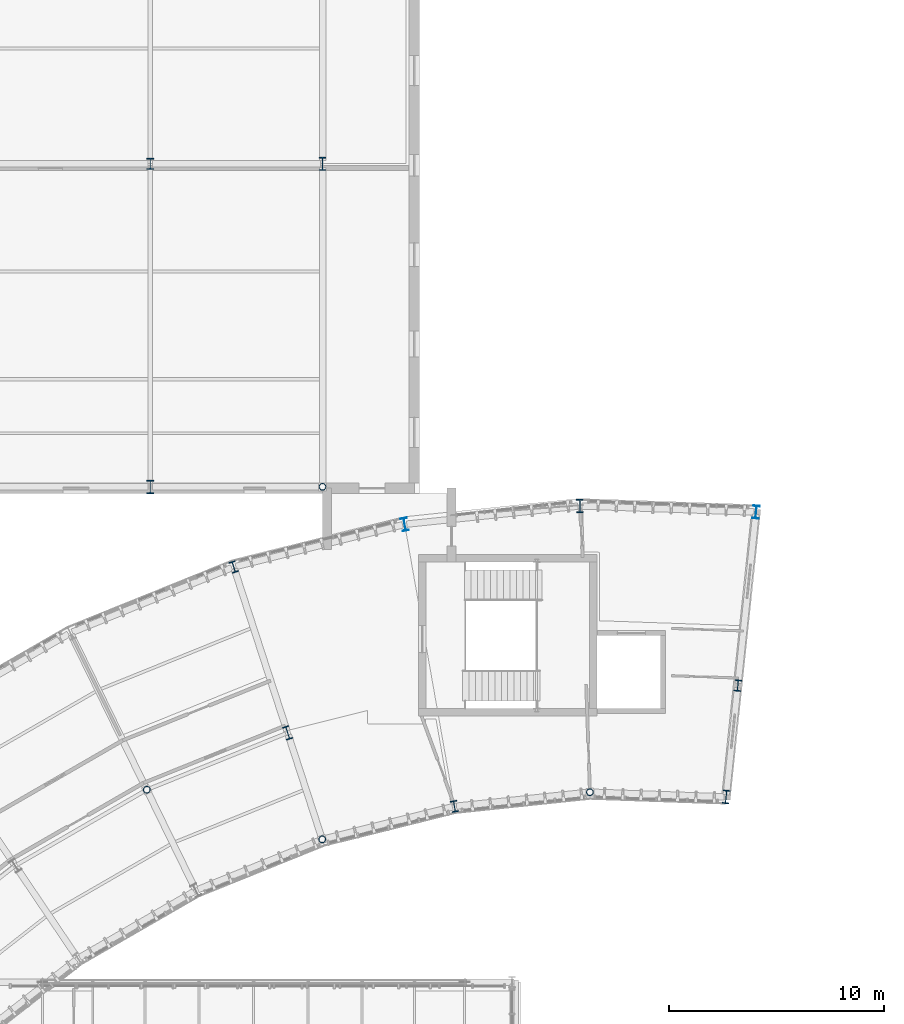
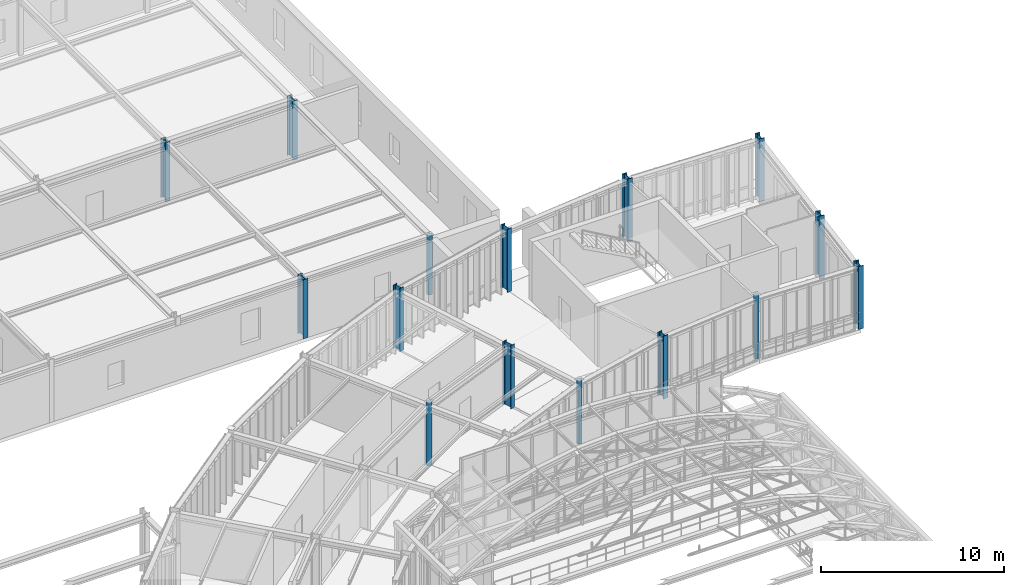
# One storey, part 12 of 148: 15 columns.
"""IFC4 building model written with IfcOpenShell, lengths in metres."""

from ifc_helpers import new_model, si_unit, direction, frame, origin, origin_2d, place, context, subcontext, project, spatial, hollow_circle, i_section, extrude, material, material_profile, profile_set, type_object, element, save


model = new_model("IFC4")

# Units and contexts
model_context = context("Model", 3, precision=1e-05, world=origin(), true_north=direction((0.0, 1.0)))
body_context = subcontext(model_context, "Body", "Model", "MODEL_VIEW")
ifc_project = project(units=[si_unit("LENGTHUNIT", "METRE"), si_unit("AREAUNIT", "SQUARE_METRE"), si_unit("VOLUMEUNIT", "CUBIC_METRE"), si_unit("PLANEANGLEUNIT", "RADIAN"), si_unit("MASSUNIT", "GRAM", prefix="KILO"), si_unit("THERMODYNAMICTEMPERATUREUNIT", "KELVIN"), si_unit("POWERUNIT", "WATT")], contexts=[model_context])

# Site, building, storey
site_placement = place(None, origin())
site = spatial("IfcSite", under=ifc_project, at=site_placement, CompositionType="ELEMENT")
building_placement = place(site_placement, origin())
building = spatial("IfcBuilding", under=site, at=building_placement, Name="Solvatero Civic Police Headquarters", CompositionType="ELEMENT")
storey_placement = place(building_placement, frame((0.0, 0.0, 5.10009765625)))
storey = spatial("IfcBuildingStorey", under=building, at=storey_placement, Name="L01", CompositionType="ELEMENT", Elevation=5.10009765625)

# Columns
ifc_material = material(Name="Steel S355", Category="steel")
ifc_material_profile_1 = material_profile(ifc_material, hollow_circle(Radius=0.161865234375, WallThickness=0.01611328125, at=origin_2d()), Name="CHS 323.9x16.0")
ifc_profile_set_1 = profile_set([ifc_material_profile_1], Name="Steel S355")
column_type_1 = type_object("IfcColumnType", Name="COL-ST-CHS324", PredefinedType="COLUMN", material=ifc_profile_set_1)
for number, where, z_axis, x_axis, name in (
    (1, (92.417236328125, 71.322509765625, 0.0), (0.0, 0.0, 1.0), (0.999390827019, 0.034899496703, 0.0), "Column ARC-S01-IN L01"),
    (2, (79.986083984375, 69.13037109375, 0.0), (0.0, 0.0, 1.0), (0.951056516295, 0.309016994375, 0.0), "Column ARC-S03-IN L01"),
    (3, (71.84033203125, 71.43408203125, 0.0), (0.0, 0.0, 1.0), (0.898794046299, 0.438371146789, 0.0), "Column ARC-S04-MID L01"),
):
    element("IfcColumn", number, at=place(storey_placement, frame(where, z_axis=z_axis, x_axis=x_axis)), inside=storey, type_object=column_type_1, Name=name, PredefinedType="COLUMN", context=body_context, shape_type="SweptSolid", body=[
        extrude(hollow_circle(Radius=0.161865234375, WallThickness=0.01611328125, at=origin_2d()), origin(), (0.0, 0.0, 1.0), 4.199951171875),
    ])
column_1_placement = place(storey_placement, frame((80.0, 85.5, 0.0), z_axis=(0.0, 0.0, 1.0), x_axis=(1.0, 0.0, 0.0)))
element("IfcColumn", 4, at=column_1_placement, inside=storey, type_object=column_type_1, Name="Column V7-X7Y1 L01", PredefinedType="COLUMN", context=body_context, shape_type="SweptSolid", body=[
    extrude(hollow_circle(Radius=0.161865234375, WallThickness=0.01611328125, at=origin_2d()), origin(), (0.0, 0.0, 1.0), 3.93994140625),
])
ifc_material_profile_2 = material_profile(ifc_material, i_section(OverallWidth=0.300048828125, OverallDepth=0.60009765625, WebThickness=0.015380859375, FlangeThickness=0.030029296875, FilletRadius=0.027099609375, at=origin_2d()), Name="HEB 600")
ifc_profile_set_2 = profile_set([ifc_material_profile_2], Name="Steel S355")
column_type_2 = type_object("IfcColumnType", Name="COL-ST-HEB600", PredefinedType="COLUMN", material=ifc_profile_set_2)
for number, where, z_axis, x_axis, name in (
    (5, (100.130615234375, 84.32861328125, 0.0), (0.0, 0.0, 1.0), (0.994521895368, -0.104528463268, 0.0), "Column ARC-S00-OUT L01"),
    (6, (83.8154296875, 83.759033203125, 0.0), (0.0, 0.0, 1.0), (0.984807753012, 0.173648177667, 0.0), "Column ARC-S02-OUT L01"),
):
    element("IfcColumn", number, at=place(storey_placement, frame(where, z_axis=z_axis, x_axis=x_axis)), inside=storey, type_object=column_type_2, Name=name, PredefinedType="COLUMN", context=body_context, shape_type="SweptSolid", body=[
        extrude(i_section(OverallWidth=0.300048828125, OverallDepth=0.60009765625, WebThickness=0.015380859375, FlangeThickness=0.030029296875, FilletRadius=0.027099609375, at=origin_2d()), origin(), (0.0, 0.0, 1.0), 4.199951171875),
    ])
ifc_material_profile_3 = material_profile(ifc_material, i_section(OverallWidth=0.305908203125, OverallDepth=0.52392578125, WebThickness=0.02099609375, FlangeThickness=0.0400390625, FilletRadius=0.027099609375, at=origin_2d()), Name="HEM 500")
ifc_profile_set_3 = profile_set([ifc_material_profile_3], Name="Steel S355")
column_type_3 = type_object("IfcColumnType", Name="COL-ST-HEM500", PredefinedType="COLUMN", material=ifc_profile_set_3)
for number, where, z_axis, x_axis, name in (
    (7, (99.283935546875, 76.273193359375, 0.0), (0.0, 0.0, 1.0), (0.994521895368, -0.104528463268, 0.0), "Column ARC-S00-MID L01"),
    (8, (86.125, 70.660888671875, 0.0), (0.0, 0.0, 1.0), (0.984807753012, 0.173648177667, 0.0), "Column ARC-S02-IN L01"),
    (9, (75.876220703125, 81.779541015625, 0.0), (0.0, 0.0, 1.0), (0.951056516295, 0.309016994375, 0.0), "Column ARC-S03-OUT L01"),
):
    element("IfcColumn", number, at=place(storey_placement, frame(where, z_axis=z_axis, x_axis=x_axis)), inside=storey, type_object=column_type_3, Name=name, PredefinedType="COLUMN", context=body_context, shape_type="SweptSolid", body=[
        extrude(i_section(OverallWidth=0.305908203125, OverallDepth=0.52392578125, WebThickness=0.02099609375, FlangeThickness=0.0400390625, FilletRadius=0.027099609375, at=origin_2d()), origin(), (0.0, 0.0, 1.0), 4.199951171875),
    ])
column_2_placement = place(storey_placement, frame((72.0, 100.5, 0.0), z_axis=(0.0, 0.0, 1.0), x_axis=(1.0, 0.0, 0.0)))
element("IfcColumn", 10, at=column_2_placement, inside=storey, type_object=column_type_3, Name="Column V7-X6Y2 L01", PredefinedType="COLUMN", context=body_context, shape_type="SweptSolid", body=[
    extrude(i_section(OverallWidth=0.305908203125, OverallDepth=0.52392578125, WebThickness=0.02099609375, FlangeThickness=0.0400390625, FilletRadius=0.027099609375, at=origin_2d()), origin(), (0.0, 0.0, 1.0), 3.93994140625),
])
ifc_material_profile_4 = material_profile(ifc_material, i_section(OverallWidth=0.304931640625, OverallDepth=0.6201171875, WebThickness=0.02099609375, FlangeThickness=0.0400390625, FilletRadius=0.027099609375, at=origin_2d()), Name="HEM 600")
ifc_profile_set_4 = profile_set([ifc_material_profile_4], Name="Steel S355")
column_type_4 = type_object("IfcColumnType", Name="COL-ST-HEM600", PredefinedType="COLUMN", material=ifc_profile_set_4)
for number, where, z_axis, x_axis, name in (
    (11, (98.740478515625, 71.1015625, 0.0), (0.0, 0.0, 1.0), (0.994521895368, -0.104528463268, 0.0), "Column ARC-S00-IN L01"),
    (12, (91.953125, 84.6142578125, 0.0), (0.0, 0.0, 1.0), (0.999390827019, 0.034899496703, 0.0), "Column ARC-S01-OUT L01"),
    (13, (78.379150390625, 74.075927734375, 0.0), (0.0, 0.0, 1.0), (0.951056516295, 0.309016994375, 0.0), "Column ARC-S03-MID L01"),
):
    element("IfcColumn", number, at=place(storey_placement, frame(where, z_axis=z_axis, x_axis=x_axis)), inside=storey, type_object=column_type_4, Name=name, PredefinedType="COLUMN", context=body_context, shape_type="SweptSolid", body=[
        extrude(i_section(OverallWidth=0.304931640625, OverallDepth=0.6201171875, WebThickness=0.02099609375, FlangeThickness=0.0400390625, FilletRadius=0.027099609375, at=origin_2d()), origin(), (0.0, 0.0, 1.0), 4.199951171875),
    ])
for number, where, z_axis, x_axis, name in (
    (14, (72.0, 85.5, 0.0), (0.0, 0.0, 1.0), (1.0, 0.0, 0.0), "Column V7-X6Y1 L01"),
    (15, (80.0, 100.5, 0.0), (0.0, 0.0, 1.0), (1.0, 0.0, 0.0), "Column V7-X7Y2 L01"),
):
    element("IfcColumn", number, at=place(storey_placement, frame(where, z_axis=z_axis, x_axis=x_axis)), inside=storey, type_object=column_type_4, Name=name, PredefinedType="COLUMN", context=body_context, shape_type="SweptSolid", body=[
        extrude(i_section(OverallWidth=0.304931640625, OverallDepth=0.6201171875, WebThickness=0.02099609375, FlangeThickness=0.0400390625, FilletRadius=0.027099609375, at=origin_2d()), origin(), (0.0, 0.0, 1.0), 3.93994140625),
    ])

save(model, "model.ifc")
